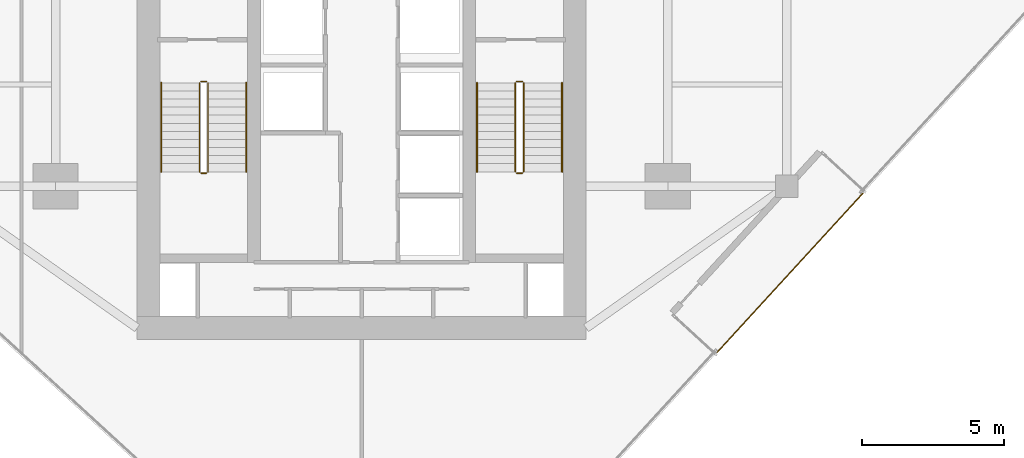
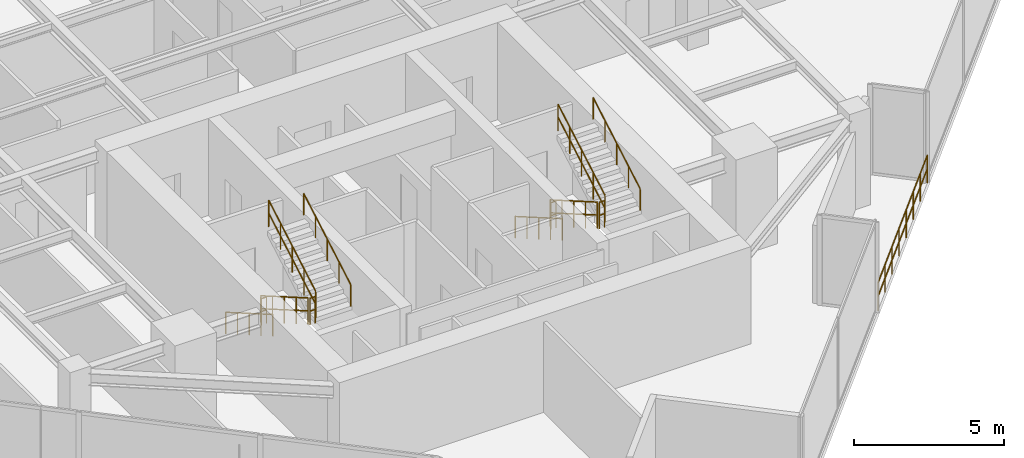
# One storey, part 25 of 26: 13 railings.
"""IFC4 building model written with IfcOpenShell, lengths in metres."""

import ifcopenshell
import ifcopenshell.guid

model = None  # the IFC model being written
_history = None  # IfcOwnerHistory: only IFC2X3 demands one
_inside = {}  # id of a spatial element -> (the spatial element, [elements in it])
_under = {}  # id of a project, library or spatial element -> (it, [spatial elements below it])
_declared = {}  # id of a project -> (the project, [libraries it declares])
_typed = {}  # id of a type object -> (the type object, [elements of that type])
_made_of = {}  # id of a material, layer set ... -> (it, [elements and type objects made of it])


def new_model(schema):
    """Start an empty IFC model of exactly this schema.

    Asked for "IFC4X3", IfcOpenShell would pick the latest addendum, in which some entities
    have other attributes; the version numbers below select the first issue.
    IFC2X3 requires an IfcOwnerHistory on every rooted entity: one is made here for all.
    """
    global model, _history
    if schema == "IFC4X3":
        model = ifcopenshell.file(schema_version=(4, 3, 0, 0))
    else:
        model = ifcopenshell.file(schema=schema)
    _inside.clear()
    _under.clear()
    _declared.clear()
    _typed.clear()
    _made_of.clear()
    _history = None
    if model.schema == "IFC2X3":
        org = make("IfcOrganization", Name="unknown")
        user = make(
            "IfcPersonAndOrganization",
            ThePerson=make("IfcPerson", FamilyName="unknown"),
            TheOrganization=org,
        )
        app = make(
            "IfcApplication",
            ApplicationDeveloper=org,
            Version="unknown",
            ApplicationFullName="unknown",
            ApplicationIdentifier="unknown",
        )
        _history = make(
            "IfcOwnerHistory",
            OwningUser=user,
            OwningApplication=app,
            ChangeAction="ADDED",
            CreationDate=0,
        )
    return model


def make(cls, **values):
    """One entity of the class cls with the attributes given. An attribute that is None is left unset."""
    return model.create_entity(
        cls, **{name: value for name, value in values.items() if value is not None}
    )


def rooted(cls, **values):
    """An entity with a GlobalId (a new one), such as an element, a storey or a relation."""
    return make(cls, GlobalId=ifcopenshell.guid.new(), OwnerHistory=_history, **values)


def si_unit(unit_type, name, prefix=None):
    """IfcSIUnit, for example si_unit("LENGTHUNIT", "METRE", prefix="MILLI")."""
    return make("IfcSIUnit", UnitType=unit_type, Prefix=prefix, Name=name)


def assignment(units):
    """IfcUnitAssignment: the units of a project."""
    return None if units is None else make("IfcUnitAssignment", Units=units)


def point(xyz):
    """IfcCartesianPoint."""
    return None if xyz is None else make("IfcCartesianPoint", Coordinates=xyz)


def direction(xyz):
    """IfcDirection."""
    return None if xyz is None else make("IfcDirection", DirectionRatios=xyz)


def frame(location, z_axis=None, x_axis=None):
    """IfcAxis2Placement3D, a coordinate frame: its origin and axes. An axis left out is left unset."""
    return make(
        "IfcAxis2Placement3D",
        Location=point(location),
        Axis=direction(z_axis),
        RefDirection=direction(x_axis),
    )


def frame_2d(location, x_axis=None):
    """IfcAxis2Placement2D, a coordinate frame in the plane: its origin and x axis."""
    return make(
        "IfcAxis2Placement2D", Location=point(location), RefDirection=direction(x_axis)
    )


def origin():
    """The frame at (0, 0, 0) with its axes left unset."""
    return frame((0.0, 0.0, 0.0))


def origin_2d():
    """The frame at (0, 0) in the plane with its x axis left unset."""
    return frame_2d((0.0, 0.0))


def place(relative_to, where):
    """IfcLocalPlacement: puts the frame where relative to a parent placement (None: the world)."""
    return make(
        "IfcLocalPlacement", PlacementRelTo=relative_to, RelativePlacement=where
    )


def context(
    kind, dimensions, precision=None, world=None, true_north=None, identifier=None
):
    """IfcGeometricRepresentationContext, for example the 3D "Model" context."""
    return make(
        "IfcGeometricRepresentationContext",
        ContextIdentifier=identifier,
        ContextType=kind,
        CoordinateSpaceDimension=dimensions,
        Precision=precision,
        WorldCoordinateSystem=world,
        TrueNorth=true_north,
    )


def subcontext(parent, identifier, kind, view, scale=None):
    """IfcGeometricRepresentationSubContext, for example "Body" below "Model"."""
    return make(
        "IfcGeometricRepresentationSubContext",
        ContextIdentifier=identifier,
        ContextType=kind,
        ParentContext=parent,
        TargetScale=scale,
        TargetView=view,
    )


def project(units=None, contexts=None):
    """IfcProject with its units and contexts."""
    return rooted(
        "IfcProject",
        Name="project",
        RepresentationContexts=contexts,
        UnitsInContext=assignment(units),
    )


def spatial(cls, under=None, at=None, **own):
    """A site, building, storey or space (cls), placed at a placement, below another one or the project."""
    s = rooted(cls, ObjectPlacement=at, **own)
    if under is not None:
        _under.setdefault(under.id(), (under, []))[1].append(s)
    return s


def profile(cls, at=None, kind="AREA", **sizes):
    """A parametric profile (cls). Its sizes go by their IFC names, for example OverallWidth=200.0."""
    return make(cls, ProfileType=kind, Position=at, **sizes)


def circle(**sizes):
    """IfcCircleProfileDef."""
    return profile("IfcCircleProfileDef", **sizes)


def extrude(swept, where, along, depth):
    """IfcExtrudedAreaSolid: the profile swept, set in the frame where, extruded along a direction by depth."""
    return make(
        "IfcExtrudedAreaSolid",
        SweptArea=swept,
        Position=where,
        ExtrudedDirection=direction(along),
        Depth=depth,
    )


def shape(context_of_items, identifier, shape_type, items):
    """IfcShapeRepresentation: the items that make up one representation, for example the "Body"."""
    return make(
        "IfcShapeRepresentation",
        ContextOfItems=context_of_items,
        RepresentationIdentifier=identifier,
        RepresentationType=shape_type,
        Items=items,
    )


def material(Name=None, Category=None):
    """IfcMaterial."""
    return make("IfcMaterial", Name=Name, Category=Category)


def layer(
    of_material, thickness, ventilated=None, Name=None, Category=None, Priority=None
):
    """IfcMaterialLayer: one layer of a wall or slab, of a material (None: an air gap)."""
    return make(
        "IfcMaterialLayer",
        Material=of_material,
        LayerThickness=thickness,
        IsVentilated=ventilated,
        Name=Name,
        Category=Category,
        Priority=Priority,
    )


def layer_set(layers, Name=None):
    """IfcMaterialLayerSet."""
    return make("IfcMaterialLayerSet", MaterialLayers=layers, LayerSetName=Name)


def made_of(thing, what):
    """Note that an element or type object is made of a material, layer set ...; save() writes the relation."""
    if what is not None:
        _made_of.setdefault(what.id(), (what, []))[1].append(thing)
    return thing


def type_object(cls, material=None, **own):
    """A type object (cls), such as IfcWallType, which elements share."""
    return made_of(rooted(cls, **own), material)


def element(
    cls,
    number,
    at=None,
    inside=None,
    cuts=None,
    type_object=None,
    material=None,
    context=None,
    identifier="Body",
    shape_type=None,
    held_by="IfcProductDefinitionShape",
    body=None,
    shapes=None,
    **own,
):
    """One element of the class cls, such as IfcWall. Its Tag is "e" and its number.

    at: its placement. inside: the storey or other place that contains it. cuts: it is an
    opening in that element (IfcRelVoidsElement). A single representation is given by context,
    identifier, shape_type and body (its items); several are given by shapes. held_by: the class
    of the entity that holds the representations. save() writes the other relations.
    """
    e = rooted(cls, Tag="e%d" % number, ObjectPlacement=at, **own)
    if body is not None:
        shapes = [shape(context, identifier, shape_type, body)]
    if shapes is not None:
        e.Representation = make(held_by, Representations=shapes)
    if inside is not None:
        _inside.setdefault(inside.id(), (inside, []))[1].append(e)
    if cuts is not None:
        rooted(
            "IfcRelVoidsElement", RelatingBuildingElement=cuts, RelatedOpeningElement=e
        )
    if type_object is not None:
        _typed.setdefault(type_object.id(), (type_object, []))[1].append(e)
    return made_of(e, material)


def aggregate(whole, parts):
    """IfcRelAggregates: a whole, such as a stair, and the parts it consists of."""
    return rooted("IfcRelAggregates", RelatingObject=whole, RelatedObjects=parts)


def save(model, path):
    """Write the relations noted so far, then the file.

    IfcRelAggregates (storeys below a building ...), IfcRelContainedInSpatialStructure (elements
    in a storey), IfcRelDefinesByType, IfcRelAssociatesMaterial and IfcRelDeclares: one each for
    every whole, place, type object, material and project.
    """
    for whole, parts in _under.values():
        aggregate(whole, parts)
    for where, things in _inside.values():
        rooted(
            "IfcRelContainedInSpatialStructure",
            RelatedElements=things,
            RelatingStructure=where,
        )
    for kind, things in _typed.values():
        rooted("IfcRelDefinesByType", RelatedObjects=things, RelatingType=kind)
    for what, things in _made_of.values():
        rooted("IfcRelAssociatesMaterial", RelatedObjects=things, RelatingMaterial=what)
    for by, libraries in _declared.values():
        rooted("IfcRelDeclares", RelatingContext=by, RelatedDefinitions=libraries)
    model.write(path)


model = new_model("IFC4")

# Units and contexts
model_context = context("Model", 3, precision=1e-05, world=origin(), true_north=direction((0.0, 1.0)))
body_context = subcontext(model_context, "Body", "Model", "MODEL_VIEW")
ifc_project = project(units=[si_unit("LENGTHUNIT", "METRE"), si_unit("AREAUNIT", "SQUARE_METRE"), si_unit("VOLUMEUNIT", "CUBIC_METRE"), si_unit("PLANEANGLEUNIT", "RADIAN"), si_unit("MASSUNIT", "GRAM", prefix="KILO")], contexts=[model_context])

# Site, building, storey
site_placement = place(None, origin())
site = spatial("IfcSite", under=ifc_project, at=site_placement, CompositionType="ELEMENT")
building_placement = place(site_placement, origin())
building = spatial("IfcBuilding", under=site, at=building_placement, Name="Krantzveldt Concourse Tower", CompositionType="ELEMENT")
storey_placement = place(building_placement, frame((0.0, 0.0, 223.10009765625)))
storey = spatial("IfcBuildingStorey", under=building, at=storey_placement, Name="L54", CompositionType="ELEMENT", Elevation=223.10009765625)

# Railings
ifc_material = material(Name="Stainless steel 316L", Category="steel")
ifc_layer_1 = layer(ifc_material, 0.080078125, Name="Stainless steel 316L", Category="steel")
ifc_layer_set_1 = layer_set([ifc_layer_1], Name="Stainless steel 316L (RL-BALUSTRADE-1150)")
railing_type_1 = type_object("IfcRailingType", Name="RL-BALUSTRADE-1150", PredefinedType="BALUSTRADE", material=ifc_layer_set_1)
railing_1_placement = place(storey_placement, frame((48.546875, 10.048828125, 0.0)))
element("IfcRailing", 1, at=railing_1_placement, inside=storey, type_object=railing_type_1, Name="GD-L54-CTER-01", PredefinedType="BALUSTRADE", context=body_context, shape_type="SweptSolid", body=[
    extrude(circle(Radius=0.02392578125, at=origin_2d()), frame((0.0, 0.0, 1.1259765625), z_axis=(0.675595153214, 0.737272804974, 0.0), x_axis=(-0.737272804974, 0.675595153214, 0.0)), (0.0, 0.0, 1.0), 7.60009765625),
    extrude(circle(Radius=0.02392578125, at=origin_2d()), frame((0.0, 0.0, 0.574951171875), z_axis=(0.675595153214, 0.737272804974, 0.0), x_axis=(-0.737272804974, 0.675595153214, 0.0)), (0.0, 0.0, 1.0), 7.60009765625),
    extrude(circle(Radius=0.02099609375, at=origin_2d()), origin(), (0.0, 0.0, 1.0), 1.101806640625),
    extrude(circle(Radius=0.02099609375, at=origin_2d()), frame((0.7333984375, 0.800537109375, 0.0)), (0.0, 0.0, 1.0), 1.101806640625),
    extrude(circle(Radius=0.02099609375, at=origin_2d()), frame((1.467041015625, 1.600830078125, 0.0)), (0.0, 0.0, 1.0), 1.101806640625),
    extrude(circle(Radius=0.02099609375, at=origin_2d()), frame((2.200439453125, 2.4013671875, 0.0)), (0.0, 0.0, 1.0), 1.101806640625),
    extrude(circle(Radius=0.02099609375, at=origin_2d()), frame((2.93408203125, 3.201904296875, 0.0)), (0.0, 0.0, 1.0), 1.101806640625),
    extrude(circle(Radius=0.02099609375, at=origin_2d()), frame((3.66748046875, 4.00244140625, 0.0)), (0.0, 0.0, 1.0), 1.101806640625),
    extrude(circle(Radius=0.02099609375, at=origin_2d()), frame((4.401123046875, 4.802734375, 0.0)), (0.0, 0.0, 1.0), 1.101806640625),
    extrude(circle(Radius=0.02099609375, at=origin_2d()), frame((5.134521484375, 5.603271484375, 0.0)), (0.0, 0.0, 1.0), 1.101806640625),
])
ifc_layer_2 = layer(ifc_material, 0.06005859375, Name="Stainless steel 316L", Category="steel")
ifc_layer_set_2 = layer_set([ifc_layer_2], Name="Stainless steel 316L (RL-GUARD-1120)")
railing_type_2 = type_object("IfcRailingType", Name="RL-GUARD-1120", PredefinedType="GUARDRAIL", material=ifc_layer_set_2)
railing_2_placement = place(storey_placement, frame((30.280029296875, 19.550048828125, 0.16455078125)))
element("IfcRailing", 2, at=railing_2_placement, inside=storey, type_object=railing_type_2, Name="L54 ST-1 stair guard 1", PredefinedType="GUARDRAIL", context=body_context, shape_type="SweptSolid", body=[
    extrude(circle(Radius=0.02392578125, at=origin_2d()), frame((0.0, 0.0, 1.076171875), z_axis=(0.0, -0.865989039225, 0.500062979975), x_axis=(1.0, 0.0, 0.0)), (0.0, 0.0, 1.0), 3.6201171875),
    extrude(circle(Radius=0.02392578125, at=origin_2d()), frame((0.0, 0.0, 0.550048828125), z_axis=(0.0, -0.865989039225, 0.500062979975), x_axis=(1.0, 0.0, 0.0)), (0.0, 0.0, 1.0), 3.6201171875),
    extrude(circle(Radius=0.02099609375, at=origin_2d()), origin(), (0.0, 0.0, 1.0), 1.052001953125),
    extrude(circle(Radius=0.02099609375, at=origin_2d()), frame((0.0, -0.78369140625, 0.45263671875)), (0.0, 0.0, 1.0), 1.052001953125),
    extrude(circle(Radius=0.02099609375, at=origin_2d()), frame((0.0, -1.5673828125, 0.9052734375)), (0.0, 0.0, 1.0), 1.052001953125),
    extrude(circle(Radius=0.02099609375, at=origin_2d()), frame((0.0, -2.351318359375, 1.357666015625)), (0.0, 0.0, 1.0), 1.052001953125),
    extrude(circle(Radius=0.02099609375, at=origin_2d()), frame((0.0, -3.135009765625, 1.810302734375)), (0.0, 0.0, 1.0), 1.052001953125),
])
railing_3_placement = place(storey_placement, frame((30.330078125, 16.364990234375, 1.974853515625)))
element("IfcRailing", 3, at=railing_3_placement, inside=storey, type_object=railing_type_2, Name="L54 ST-1 stair guard 2", PredefinedType="GUARDRAIL", context=body_context, shape_type="SweptSolid", body=[
    extrude(circle(Radius=0.02392578125, at=origin_2d()), frame((0.0, 0.0, 1.076171875), z_axis=(1.0, 0.0, 0.0), x_axis=(0.0, 1.0, 0.0)), (0.0, 0.0, 1.0), 0.199951171875),
    extrude(circle(Radius=0.02392578125, at=origin_2d()), frame((0.0, 0.0, 0.550048828125), z_axis=(1.0, 0.0, 0.0), x_axis=(0.0, 1.0, 0.0)), (0.0, 0.0, 1.0), 0.199951171875),
    extrude(circle(Radius=0.02099609375, at=origin_2d()), origin(), (0.0, 0.0, 1.0), 1.052001953125),
    extrude(circle(Radius=0.02099609375, at=origin_2d()), frame((0.199951171875, 0.0, 0.0)), (0.0, 0.0, 1.0), 1.052001953125),
])
railing_4_placement = place(storey_placement, frame((30.580078125, 16.4150390625, 2.139404296875)))
element("IfcRailing", 4, at=railing_4_placement, inside=storey, type_object=railing_type_2, Name="L54 ST-1 stair guard 3", PredefinedType="GUARDRAIL", context=body_context, shape_type="SweptSolid", body=[
    extrude(circle(Radius=0.02392578125, at=origin_2d()), frame((0.0, 0.0, 1.076171875), z_axis=(0.0, 0.865959834175, 0.500113552702), x_axis=(-1.0, 0.0, 0.0)), (0.0, 0.0, 1.0), 3.620361328125),
    extrude(circle(Radius=0.02392578125, at=origin_2d()), frame((0.0, 0.0, 0.550048828125), z_axis=(0.0, 0.865959834175, 0.500113552702), x_axis=(-1.0, 0.0, 0.0)), (0.0, 0.0, 1.0), 3.620361328125),
    extrude(circle(Radius=0.02099609375, at=origin_2d()), origin(), (0.0, 0.0, 1.0), 1.052001953125),
    extrude(circle(Radius=0.02099609375, at=origin_2d()), frame((0.0, 0.78369140625, 0.45263671875)), (0.0, 0.0, 1.0), 1.052001953125),
    extrude(circle(Radius=0.02099609375, at=origin_2d()), frame((0.0, 1.5673828125, 0.9052734375)), (0.0, 0.0, 1.0), 1.052001953125),
    extrude(circle(Radius=0.02099609375, at=origin_2d()), frame((0.0, 2.351318359375, 1.35791015625)), (0.0, 0.0, 1.0), 1.052001953125),
    extrude(circle(Radius=0.02099609375, at=origin_2d()), frame((0.0, 3.135009765625, 1.810546875)), (0.0, 0.0, 1.0), 1.052001953125),
])
railing_5_placement = place(storey_placement, frame((30.330078125, 19.60009765625, 0.0)))
element("IfcRailing", 5, at=railing_5_placement, inside=storey, type_object=railing_type_2, Name="L54 ST-1 stair guard 4", PredefinedType="GUARDRAIL", context=body_context, shape_type="SweptSolid", body=[
    extrude(circle(Radius=0.02392578125, at=origin_2d()), frame((0.0, 0.0, 1.076171875), z_axis=(1.0, 0.0, 0.0), x_axis=(0.0, 1.0, 0.0)), (0.0, 0.0, 1.0), 0.199951171875),
    extrude(circle(Radius=0.02392578125, at=origin_2d()), frame((0.0, 0.0, 0.550048828125), z_axis=(1.0, 0.0, 0.0), x_axis=(0.0, 1.0, 0.0)), (0.0, 0.0, 1.0), 0.199951171875),
    extrude(circle(Radius=0.02099609375, at=origin_2d()), origin(), (0.0, 0.0, 1.0), 1.052001953125),
    extrude(circle(Radius=0.02099609375, at=origin_2d()), frame((0.199951171875, 0.0, 0.0)), (0.0, 0.0, 1.0), 1.052001953125),
])
railing_6_placement = place(storey_placement, frame((41.419921875, 19.550048828125, 0.16455078125)))
element("IfcRailing", 6, at=railing_6_placement, inside=storey, type_object=railing_type_2, Name="L54 ST-2 stair guard 1", PredefinedType="GUARDRAIL", context=body_context, shape_type="SweptSolid", body=[
    extrude(circle(Radius=0.02392578125, at=origin_2d()), frame((0.0, 0.0, 1.076171875), z_axis=(0.0, -0.865989039225, 0.500062979975), x_axis=(1.0, 0.0, 0.0)), (0.0, 0.0, 1.0), 3.6201171875),
    extrude(circle(Radius=0.02392578125, at=origin_2d()), frame((0.0, 0.0, 0.550048828125), z_axis=(0.0, -0.865989039225, 0.500062979975), x_axis=(1.0, 0.0, 0.0)), (0.0, 0.0, 1.0), 3.6201171875),
    extrude(circle(Radius=0.02099609375, at=origin_2d()), origin(), (0.0, 0.0, 1.0), 1.052001953125),
    extrude(circle(Radius=0.02099609375, at=origin_2d()), frame((0.0, -0.78369140625, 0.45263671875)), (0.0, 0.0, 1.0), 1.052001953125),
    extrude(circle(Radius=0.02099609375, at=origin_2d()), frame((0.0, -1.5673828125, 0.9052734375)), (0.0, 0.0, 1.0), 1.052001953125),
    extrude(circle(Radius=0.02099609375, at=origin_2d()), frame((0.0, -2.351318359375, 1.357666015625)), (0.0, 0.0, 1.0), 1.052001953125),
    extrude(circle(Radius=0.02099609375, at=origin_2d()), frame((0.0, -3.135009765625, 1.810302734375)), (0.0, 0.0, 1.0), 1.052001953125),
])
railing_7_placement = place(storey_placement, frame((41.469970703125, 16.364990234375, 1.974853515625)))
element("IfcRailing", 7, at=railing_7_placement, inside=storey, type_object=railing_type_2, Name="L54 ST-2 stair guard 2", PredefinedType="GUARDRAIL", context=body_context, shape_type="SweptSolid", body=[
    extrude(circle(Radius=0.02392578125, at=origin_2d()), frame((0.0, 0.0, 1.076171875), z_axis=(1.0, 0.0, 0.0), x_axis=(0.0, 1.0, 0.0)), (0.0, 0.0, 1.0), 0.199951171875),
    extrude(circle(Radius=0.02392578125, at=origin_2d()), frame((0.0, 0.0, 0.550048828125), z_axis=(1.0, 0.0, 0.0), x_axis=(0.0, 1.0, 0.0)), (0.0, 0.0, 1.0), 0.199951171875),
    extrude(circle(Radius=0.02099609375, at=origin_2d()), origin(), (0.0, 0.0, 1.0), 1.052001953125),
    extrude(circle(Radius=0.02099609375, at=origin_2d()), frame((0.199951171875, 0.0, 0.0)), (0.0, 0.0, 1.0), 1.052001953125),
])
railing_8_placement = place(storey_placement, frame((41.719970703125, 16.4150390625, 2.139404296875)))
element("IfcRailing", 8, at=railing_8_placement, inside=storey, type_object=railing_type_2, Name="L54 ST-2 stair guard 3", PredefinedType="GUARDRAIL", context=body_context, shape_type="SweptSolid", body=[
    extrude(circle(Radius=0.02392578125, at=origin_2d()), frame((0.0, 0.0, 1.076171875), z_axis=(0.0, 0.865959834175, 0.500113552702), x_axis=(-1.0, 0.0, 0.0)), (0.0, 0.0, 1.0), 3.620361328125),
    extrude(circle(Radius=0.02392578125, at=origin_2d()), frame((0.0, 0.0, 0.550048828125), z_axis=(0.0, 0.865959834175, 0.500113552702), x_axis=(-1.0, 0.0, 0.0)), (0.0, 0.0, 1.0), 3.620361328125),
    extrude(circle(Radius=0.02099609375, at=origin_2d()), origin(), (0.0, 0.0, 1.0), 1.052001953125),
    extrude(circle(Radius=0.02099609375, at=origin_2d()), frame((0.0, 0.78369140625, 0.45263671875)), (0.0, 0.0, 1.0), 1.052001953125),
    extrude(circle(Radius=0.02099609375, at=origin_2d()), frame((0.0, 1.5673828125, 0.9052734375)), (0.0, 0.0, 1.0), 1.052001953125),
    extrude(circle(Radius=0.02099609375, at=origin_2d()), frame((0.0, 2.351318359375, 1.35791015625)), (0.0, 0.0, 1.0), 1.052001953125),
    extrude(circle(Radius=0.02099609375, at=origin_2d()), frame((0.0, 3.135009765625, 1.810546875)), (0.0, 0.0, 1.0), 1.052001953125),
])
railing_9_placement = place(storey_placement, frame((41.469970703125, 19.60009765625, 0.0)))
element("IfcRailing", 9, at=railing_9_placement, inside=storey, type_object=railing_type_2, Name="L54 ST-2 stair guard 4", PredefinedType="GUARDRAIL", context=body_context, shape_type="SweptSolid", body=[
    extrude(circle(Radius=0.02392578125, at=origin_2d()), frame((0.0, 0.0, 1.076171875), z_axis=(1.0, 0.0, 0.0), x_axis=(0.0, 1.0, 0.0)), (0.0, 0.0, 1.0), 0.199951171875),
    extrude(circle(Radius=0.02392578125, at=origin_2d()), frame((0.0, 0.0, 0.550048828125), z_axis=(1.0, 0.0, 0.0), x_axis=(0.0, 1.0, 0.0)), (0.0, 0.0, 1.0), 0.199951171875),
    extrude(circle(Radius=0.02099609375, at=origin_2d()), origin(), (0.0, 0.0, 1.0), 1.052001953125),
    extrude(circle(Radius=0.02099609375, at=origin_2d()), frame((0.199951171875, 0.0, 0.0)), (0.0, 0.0, 1.0), 1.052001953125),
])
ifc_layer_3 = layer(ifc_material, 0.050048828125, Name="Stainless steel 316L", Category="steel")
ifc_layer_set_3 = layer_set([ifc_layer_3], Name="Stainless steel 316L (RL-HANDRAIL-920)")
railing_type_3 = type_object("IfcRailingType", Name="RL-HANDRAIL-920", PredefinedType="HANDRAIL", material=ifc_layer_set_3)
railing_10_placement = place(storey_placement, frame((28.929931640625, 19.550048828125, 0.16455078125)))
element("IfcRailing", 10, at=railing_10_placement, inside=storey, type_object=railing_type_3, Name="L54 ST-1 stair handrail 1", PredefinedType="HANDRAIL", context=body_context, shape_type="SweptSolid", body=[
    extrude(circle(Radius=0.02392578125, at=origin_2d()), frame((0.0, 0.0, 0.8759765625), z_axis=(0.0, -0.865989039225, 0.500062979975), x_axis=(1.0, 0.0, 0.0)), (0.0, 0.0, 1.0), 3.6201171875),
    extrude(circle(Radius=0.02099609375, at=origin_2d()), origin(), (0.0, 0.0, 1.0), 0.851806640625),
    extrude(circle(Radius=0.02099609375, at=origin_2d()), frame((0.0, -0.78369140625, 0.45263671875)), (0.0, 0.0, 1.0), 0.851806640625),
    extrude(circle(Radius=0.02099609375, at=origin_2d()), frame((0.0, -1.5673828125, 0.9052734375)), (0.0, 0.0, 1.0), 0.851806640625),
    extrude(circle(Radius=0.02099609375, at=origin_2d()), frame((0.0, -2.351318359375, 1.357666015625)), (0.0, 0.0, 1.0), 0.851806640625),
    extrude(circle(Radius=0.02099609375, at=origin_2d()), frame((0.0, -3.135009765625, 1.810302734375)), (0.0, 0.0, 1.0), 0.851806640625),
])
railing_11_placement = place(storey_placement, frame((31.929931640625, 16.4150390625, 2.139404296875)))
element("IfcRailing", 11, at=railing_11_placement, inside=storey, type_object=railing_type_3, Name="L54 ST-1 stair handrail 2", PredefinedType="HANDRAIL", context=body_context, shape_type="SweptSolid", body=[
    extrude(circle(Radius=0.02392578125, at=origin_2d()), frame((0.0, 0.0, 0.8759765625), z_axis=(0.0, 0.865959834175, 0.500113552702), x_axis=(-1.0, 0.0, 0.0)), (0.0, 0.0, 1.0), 3.620361328125),
    extrude(circle(Radius=0.02099609375, at=origin_2d()), origin(), (0.0, 0.0, 1.0), 0.851806640625),
    extrude(circle(Radius=0.02099609375, at=origin_2d()), frame((0.0, 0.78369140625, 0.45263671875)), (0.0, 0.0, 1.0), 0.851806640625),
    extrude(circle(Radius=0.02099609375, at=origin_2d()), frame((0.0, 1.5673828125, 0.9052734375)), (0.0, 0.0, 1.0), 0.851806640625),
    extrude(circle(Radius=0.02099609375, at=origin_2d()), frame((0.0, 2.351318359375, 1.35791015625)), (0.0, 0.0, 1.0), 0.851806640625),
    extrude(circle(Radius=0.02099609375, at=origin_2d()), frame((0.0, 3.135009765625, 1.810546875)), (0.0, 0.0, 1.0), 0.851806640625),
])
railing_12_placement = place(storey_placement, frame((40.070068359375, 19.550048828125, 0.16455078125)))
element("IfcRailing", 12, at=railing_12_placement, inside=storey, type_object=railing_type_3, Name="L54 ST-2 stair handrail 1", PredefinedType="HANDRAIL", context=body_context, shape_type="SweptSolid", body=[
    extrude(circle(Radius=0.02392578125, at=origin_2d()), frame((0.0, 0.0, 0.8759765625), z_axis=(0.0, -0.865989039225, 0.500062979975), x_axis=(1.0, 0.0, 0.0)), (0.0, 0.0, 1.0), 3.6201171875),
    extrude(circle(Radius=0.02099609375, at=origin_2d()), origin(), (0.0, 0.0, 1.0), 0.851806640625),
    extrude(circle(Radius=0.02099609375, at=origin_2d()), frame((0.0, -0.78369140625, 0.45263671875)), (0.0, 0.0, 1.0), 0.851806640625),
    extrude(circle(Radius=0.02099609375, at=origin_2d()), frame((0.0, -1.5673828125, 0.9052734375)), (0.0, 0.0, 1.0), 0.851806640625),
    extrude(circle(Radius=0.02099609375, at=origin_2d()), frame((0.0, -2.351318359375, 1.357666015625)), (0.0, 0.0, 1.0), 0.851806640625),
    extrude(circle(Radius=0.02099609375, at=origin_2d()), frame((0.0, -3.135009765625, 1.810302734375)), (0.0, 0.0, 1.0), 0.851806640625),
])
railing_13_placement = place(storey_placement, frame((43.070068359375, 16.4150390625, 2.139404296875)))
element("IfcRailing", 13, at=railing_13_placement, inside=storey, type_object=railing_type_3, Name="L54 ST-2 stair handrail 2", PredefinedType="HANDRAIL", context=body_context, shape_type="SweptSolid", body=[
    extrude(circle(Radius=0.02392578125, at=origin_2d()), frame((0.0, 0.0, 0.8759765625), z_axis=(0.0, 0.865959834175, 0.500113552702), x_axis=(-1.0, 0.0, 0.0)), (0.0, 0.0, 1.0), 3.620361328125),
    extrude(circle(Radius=0.02099609375, at=origin_2d()), origin(), (0.0, 0.0, 1.0), 0.851806640625),
    extrude(circle(Radius=0.02099609375, at=origin_2d()), frame((0.0, 0.78369140625, 0.45263671875)), (0.0, 0.0, 1.0), 0.851806640625),
    extrude(circle(Radius=0.02099609375, at=origin_2d()), frame((0.0, 1.5673828125, 0.9052734375)), (0.0, 0.0, 1.0), 0.851806640625),
    extrude(circle(Radius=0.02099609375, at=origin_2d()), frame((0.0, 2.351318359375, 1.35791015625)), (0.0, 0.0, 1.0), 0.851806640625),
    extrude(circle(Radius=0.02099609375, at=origin_2d()), frame((0.0, 3.135009765625, 1.810546875)), (0.0, 0.0, 1.0), 0.851806640625),
])

save(model, "model.ifc")
